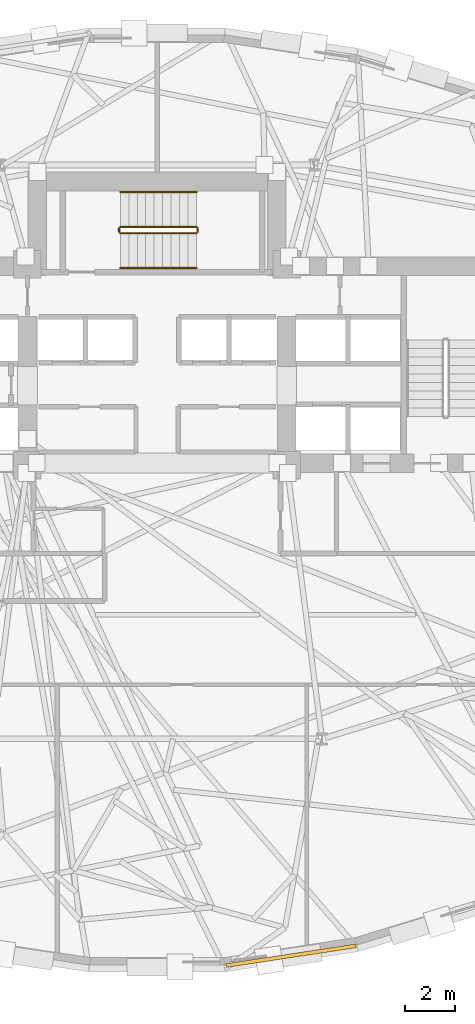
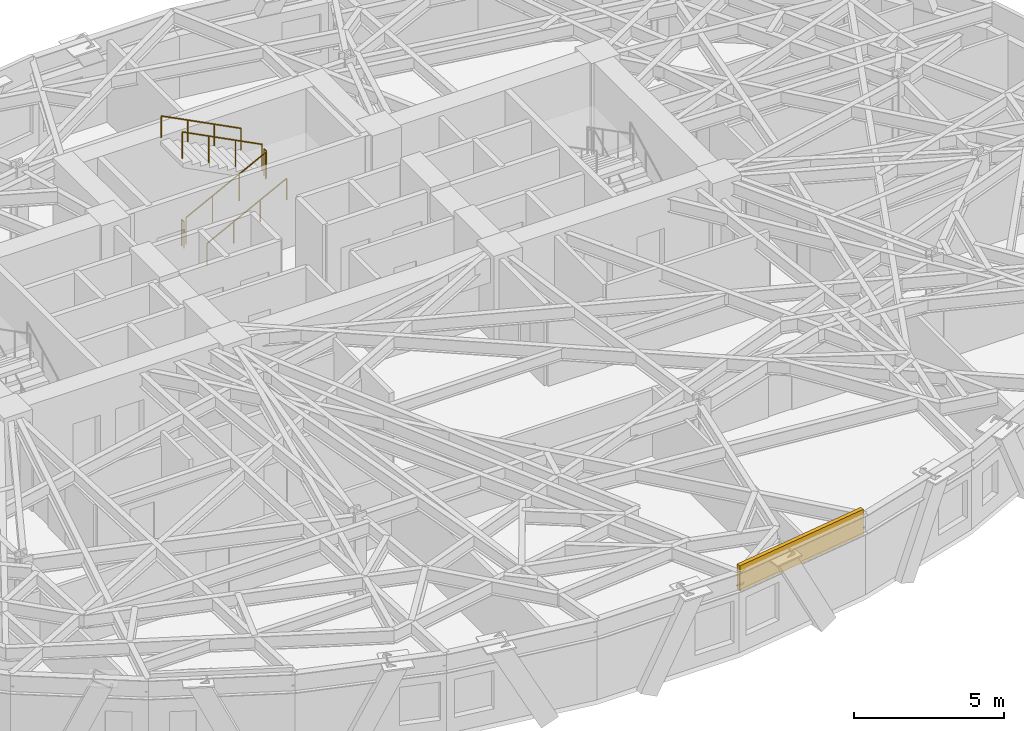
# One storey, part 12 of 14: 6 railings, 1 covering.
"""IFC4 building model written with IfcOpenShell, lengths in metres."""

from ifc_helpers import new_model, si_unit, direction, frame, origin, origin_2d, place, context, subcontext, project, spatial, rectangle, circle, extrude, material, layer, layer_set, type_object, element, save


model = new_model("IFC4")

# Units and contexts
model_context = context("Model", 3, precision=1e-05, world=origin(), true_north=direction((0.0, 1.0)))
body_context = subcontext(model_context, "Body", "Model", "MODEL_VIEW")
ifc_project = project(units=[si_unit("LENGTHUNIT", "METRE"), si_unit("AREAUNIT", "SQUARE_METRE"), si_unit("VOLUMEUNIT", "CUBIC_METRE"), si_unit("PLANEANGLEUNIT", "RADIAN"), si_unit("MASSUNIT", "GRAM", prefix="KILO")], contexts=[model_context])

# Site, building, storey
site_placement = place(None, origin())
site = spatial("IfcSite", under=ifc_project, at=site_placement, CompositionType="ELEMENT")
building_placement = place(site_placement, origin())
building = spatial("IfcBuilding", under=site, at=building_placement, Name="Keldmark Tower", CompositionType="ELEMENT")
storey_placement = place(building_placement, frame((0.0, 0.0, 107.10009765625)))
storey = spatial("IfcBuildingStorey", under=building, at=storey_placement, Name="L28", CompositionType="ELEMENT", Elevation=107.10009765625)

# Covering
ifc_material_1 = material(Name="Honed Kasota Buff Dolomitic Limestone", Category="masonry")
ifc_layer = layer(ifc_material_1, 0.074951171875)
ifc_layer_set = layer_set([ifc_layer], Name="Honed Kasota Buff Dolomitic Limestone")
covering_type = type_object("IfcCoveringType", Name="Kasota Buff Limestone Spandrel Cladding Band", PredefinedType="CLADDING", material=ifc_layer_set)
covering_placement = place(storey_placement, frame((5.37109375, -18.275146484375, 2.45166015625), z_axis=(0.0, 0.0, 1.0), x_axis=(0.988622885275, 0.15041539386, 0.0)))
element("IfcCovering", 1, at=covering_placement, inside=storey, type_object=covering_type, Name="L28 Kasota Limestone Spandrel Band 25", PredefinedType="CLADDING", context=body_context, shape_type="SweptSolid", body=[
    extrude(rectangle(XDim=5.257080078125, YDim=0.14990234375, at=origin_2d()), origin(), (0.0, 0.0, 1.0), 1.028076171875),
])

# Railings
ifc_material_2 = material(Name="Painted Steel ASTM A500 Grade B", Category="steel")
railing_type_1 = type_object("IfcRailingType", Name="Painted Steel Stair Well Guard 1100 mm", PredefinedType="GUARDRAIL", material=ifc_material_2)
railing_1_placement = place(storey_placement, frame((-1.47509765625, 10.699951171875, 0.1748046875)))
element("IfcRailing", 2, at=railing_1_placement, inside=storey, type_object=railing_type_1, Name="L28 ST3 stair guard 1", PredefinedType="GUARDRAIL", context=body_context, shape_type="SweptSolid", body=[
    extrude(circle(Radius=0.02392578125, at=origin_2d()), frame((0.0, 0.0, 1.076171875), z_axis=(0.889116283586, 0.0, 0.457681367616), x_axis=(0.0, 1.0, 0.0)), (0.0, 0.0, 1.0), 3.441650390625),
    extrude(circle(Radius=0.02099609375, at=origin_2d()), origin(), (0.0, 0.0, 1.0), 1.052001953125),
    extrude(circle(Radius=0.02099609375, at=origin_2d()), frame((1.02001953125, 0.0, 0.525146484375)), (0.0, 0.0, 1.0), 1.052001953125),
    extrude(circle(Radius=0.02099609375, at=origin_2d()), frame((2.0400390625, 0.0, 1.050048828125)), (0.0, 0.0, 1.0), 1.052001953125),
    extrude(circle(Radius=0.02099609375, at=origin_2d()), frame((3.06005859375, 0.0, 1.5751953125)), (0.0, 0.0, 1.0), 1.052001953125),
])
railing_2_placement = place(storey_placement, frame((1.635009765625, 10.75, 1.75)))
element("IfcRailing", 3, at=railing_2_placement, inside=storey, type_object=railing_type_1, Name="L28 ST3 stair guard 2", PredefinedType="GUARDRAIL", context=body_context, shape_type="SweptSolid", body=[
    extrude(circle(Radius=0.02392578125, at=origin_2d()), frame((0.0, 0.0, 1.076171875), z_axis=(0.0, 1.0, 0.0), x_axis=(-1.0, 0.0, 0.0)), (0.0, 0.0, 1.0), 0.14990234375),
    extrude(circle(Radius=0.02099609375, at=origin_2d()), origin(), (0.0, 0.0, 1.0), 1.052001953125),
    extrude(circle(Radius=0.02099609375, at=origin_2d()), frame((0.0, 0.14990234375, 0.0)), (0.0, 0.0, 1.0), 1.052001953125),
])
railing_3_placement = place(storey_placement, frame((1.5849609375, 10.949951171875, 1.9248046875)))
element("IfcRailing", 4, at=railing_3_placement, inside=storey, type_object=railing_type_1, Name="L28 ST3 stair guard 3", PredefinedType="GUARDRAIL", context=body_context, shape_type="SweptSolid", body=[
    extrude(circle(Radius=0.02392578125, at=origin_2d()), frame((0.0, 0.0, 1.076171875), z_axis=(-0.889116283586, 0.0, 0.457681367616), x_axis=(0.0, -1.0, 0.0)), (0.0, 0.0, 1.0), 3.441650390625),
    extrude(circle(Radius=0.02099609375, at=origin_2d()), origin(), (0.0, 0.0, 1.0), 1.052001953125),
    extrude(circle(Radius=0.02099609375, at=origin_2d()), frame((-1.02001953125, 0.0, 0.525146484375)), (0.0, 0.0, 1.0), 1.052001953125),
    extrude(circle(Radius=0.02099609375, at=origin_2d()), frame((-2.0400390625, 0.0, 1.050048828125)), (0.0, 0.0, 1.0), 1.052001953125),
    extrude(circle(Radius=0.02099609375, at=origin_2d()), frame((-3.06005859375, 0.0, 1.5751953125)), (0.0, 0.0, 1.0), 1.052001953125),
])
railing_4_placement = place(storey_placement, frame((-1.52490234375, 10.75, 0.0)))
element("IfcRailing", 5, at=railing_4_placement, inside=storey, type_object=railing_type_1, Name="L28 ST3 stair guard 4", PredefinedType="GUARDRAIL", context=body_context, shape_type="SweptSolid", body=[
    extrude(circle(Radius=0.02392578125, at=origin_2d()), frame((0.0, 0.0, 1.076171875), z_axis=(0.0, 1.0, 0.0), x_axis=(-1.0, 0.0, 0.0)), (0.0, 0.0, 1.0), 0.14990234375),
    extrude(circle(Radius=0.02099609375, at=origin_2d()), origin(), (0.0, 0.0, 1.0), 1.052001953125),
    extrude(circle(Radius=0.02099609375, at=origin_2d()), frame((0.0, 0.14990234375, 0.0)), (0.0, 0.0, 1.0), 1.052001953125),
])
ifc_material_3 = material(Name="Stainless Steel AISI 316L", Category="steel")
railing_type_2 = type_object("IfcRailingType", Name="Stainless Steel Stair Handrail 900 mm", PredefinedType="HANDRAIL", material=ifc_material_3)
railing_5_placement = place(storey_placement, frame((-1.47509765625, 9.300048828125, 0.1748046875)))
element("IfcRailing", 6, at=railing_5_placement, inside=storey, type_object=railing_type_2, Name="L28 ST3 stair handrail 1", PredefinedType="HANDRAIL", context=body_context, shape_type="SweptSolid", body=[
    extrude(circle(Radius=0.02392578125, at=origin_2d()), frame((0.0, 0.0, 0.8759765625), z_axis=(0.889116283586, 0.0, 0.457681367616), x_axis=(0.0, 1.0, 0.0)), (0.0, 0.0, 1.0), 3.441650390625),
    extrude(circle(Radius=0.02099609375, at=origin_2d()), origin(), (0.0, 0.0, 1.0), 0.851806640625),
    extrude(circle(Radius=0.02099609375, at=origin_2d()), frame((1.02001953125, 0.0, 0.525146484375)), (0.0, 0.0, 1.0), 0.851806640625),
    extrude(circle(Radius=0.02099609375, at=origin_2d()), frame((2.0400390625, 0.0, 1.050048828125)), (0.0, 0.0, 1.0), 0.851806640625),
    extrude(circle(Radius=0.02099609375, at=origin_2d()), frame((3.06005859375, 0.0, 1.5751953125)), (0.0, 0.0, 1.0), 0.851806640625),
])
railing_6_placement = place(storey_placement, frame((1.5849609375, 12.35009765625, 1.9248046875)))
element("IfcRailing", 7, at=railing_6_placement, inside=storey, type_object=railing_type_2, Name="L28 ST3 stair handrail 2", PredefinedType="HANDRAIL", context=body_context, shape_type="SweptSolid", body=[
    extrude(circle(Radius=0.02392578125, at=origin_2d()), frame((0.0, 0.0, 0.8759765625), z_axis=(-0.889116283586, 0.0, 0.457681367616), x_axis=(0.0, -1.0, 0.0)), (0.0, 0.0, 1.0), 3.441650390625),
    extrude(circle(Radius=0.02099609375, at=origin_2d()), origin(), (0.0, 0.0, 1.0), 0.851806640625),
    extrude(circle(Radius=0.02099609375, at=origin_2d()), frame((-1.02001953125, 0.0, 0.525146484375)), (0.0, 0.0, 1.0), 0.851806640625),
    extrude(circle(Radius=0.02099609375, at=origin_2d()), frame((-2.0400390625, 0.0, 1.050048828125)), (0.0, 0.0, 1.0), 0.851806640625),
    extrude(circle(Radius=0.02099609375, at=origin_2d()), frame((-3.06005859375, 0.0, 1.5751953125)), (0.0, 0.0, 1.0), 0.851806640625),
])

save(model, "model.ifc")
